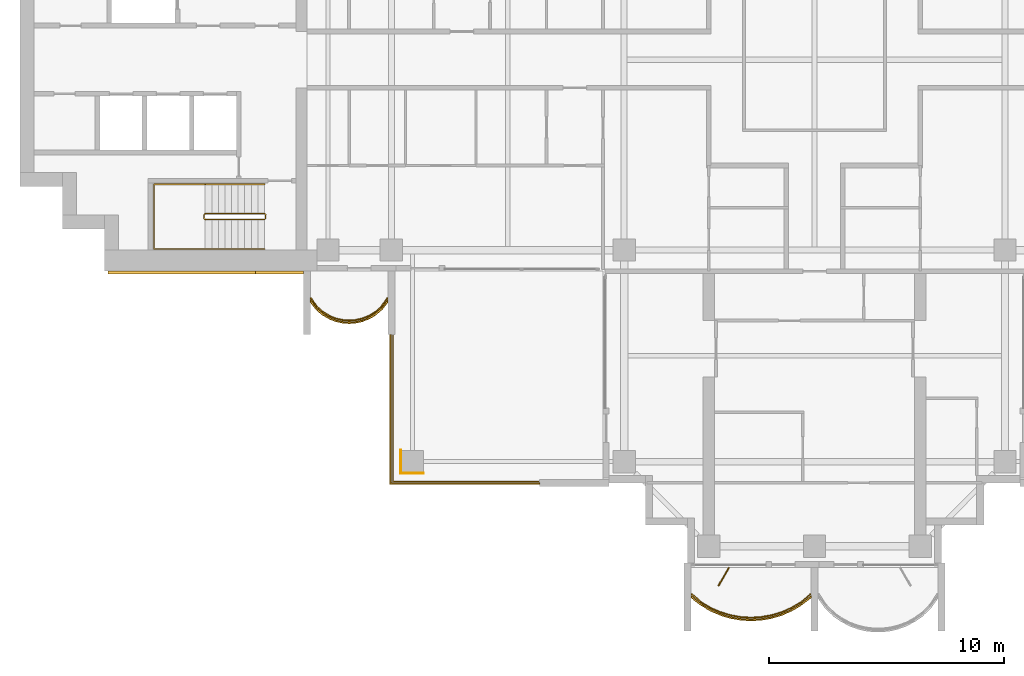
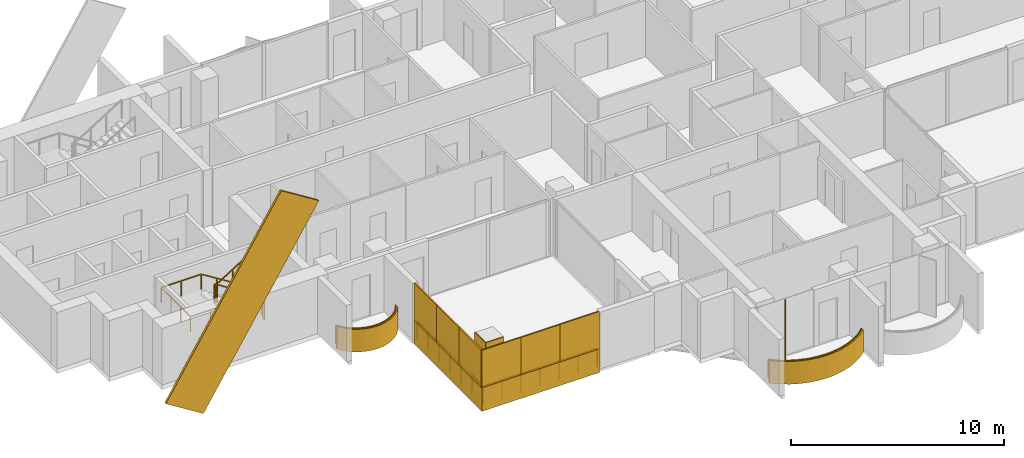
# One storey, part 14 of 17: 12 coverings, 5 railings, 1 shading device.
"""IFC4 building model written with IfcOpenShell, lengths in metres."""

from ifc_helpers import new_model, si_unit, direction, frame, origin, origin_2d, place, context, subcontext, project, spatial, polyline, rectangle, outline, extrude, material, layer, layer_set, material_profile, profile_set, type_object, element, save


model = new_model("IFC4")

# Units and contexts
model_context = context("Model", 3, precision=1e-05, world=origin(), true_north=direction((0.0, 1.0)))
body_context = subcontext(model_context, "Body", "Model", "MODEL_VIEW")
ifc_project = project(units=[si_unit("LENGTHUNIT", "METRE"), si_unit("AREAUNIT", "SQUARE_METRE"), si_unit("VOLUMEUNIT", "CUBIC_METRE"), si_unit("PLANEANGLEUNIT", "RADIAN"), si_unit("MASSUNIT", "GRAM", prefix="KILO")], contexts=[model_context])

# Site, building, storey
site_placement = place(None, origin())
site = spatial("IfcSite", under=ifc_project, at=site_placement, CompositionType="ELEMENT")
building_placement = place(site_placement, origin())
building = spatial("IfcBuilding", under=site, at=building_placement, Name="Perihelion Cross Residences", CompositionType="ELEMENT")
storey_placement = place(building_placement, frame((0.0, 0.0, 187.60009765625)))
storey = spatial("IfcBuildingStorey", under=building, at=storey_placement, Name="L46", CompositionType="ELEMENT", Elevation=187.60009765625)

# Coverings
ifc_material_1 = material(Name="Bronze anodised aluminium", Category="aluminium")
ifc_layer_1 = layer(ifc_material_1, 0.070068359375)
ifc_layer_set_1 = layer_set([ifc_layer_1], Name="Balcony fascia 1300")
covering_type_1 = type_object("IfcCoveringType", Name="Balcony fascia 1300", PredefinedType="CLADDING", material=ifc_layer_set_1)
covering_1_placement = place(storey_placement, frame((0.0, 0.0, -0.2001953125)))
element("IfcCovering", 1, at=covering_1_placement, inside=storey, type_object=covering_type_1, Name="Fascia BF1 L46 west side south bay 1", PredefinedType="CLADDING", context=body_context, shape_type="SweptSolid", body=[
    extrude(outline(polyline([(-21.226318359375, -10.616455078125), (-20.94091796875, -10.86328125), (-20.655517578125, -11.031494140625), (-20.370361328125, -11.142578125), (-20.085205078125, -11.206298828125), (-19.800048828125, -11.22705078125), (-19.514892578125, -11.206298828125), (-19.229736328125, -11.142578125), (-18.9443359375, -11.031494140625), (-18.6591796875, -10.86328125), (-18.373779296875, -10.616455078125), (-18.14990234375, -10.31689453125), (-18.14990234375, -10.199951171875), (-18.425048828125, -10.568603515625), (-18.699951171875, -10.806396484375), (-18.97509765625, -10.96875), (-19.25, -11.07568359375), (-19.52490234375, -11.136962890625), (-19.800048828125, -11.156982421875), (-20.074951171875, -11.136962890625), (-20.35009765625, -11.07568359375), (-20.625, -10.96875), (-20.89990234375, -10.806396484375), (-21.175048828125, -10.568603515625), (-21.449951171875, -10.199951171875), (-21.449951171875, -10.31689453125), (-21.226318359375, -10.616455078125)])), origin(), (0.0, 0.0, 1.0), 1.300048828125),
])
covering_2_placement = place(storey_placement, frame((0.0, 0.0, -0.2001953125)))
element("IfcCovering", 2, at=covering_2_placement, inside=storey, type_object=covering_type_1, Name="Fascia BF1 L46 south tip south bay 1", PredefinedType="CLADDING", context=body_context, shape_type="SweptSolid", body=[
    extrude(outline(polyline([(-4.86474609375, -23.197509765625), (-4.431884765625, -23.455078125), (-3.998779296875, -23.642578125), (-3.56591796875, -23.7705078125), (-3.133056640625, -23.845458984375), (-2.699951171875, -23.8701171875), (-2.26708984375, -23.845458984375), (-1.833984375, -23.7705078125), (-1.401123046875, -23.642578125), (-0.96826171875, -23.455078125), (-0.53515625, -23.197509765625), (-0.14990234375, -22.8896484375), (-0.14990234375, -22.800048828125), (-0.574951171875, -23.14013671875), (-1.0, -23.392578125), (-1.425048828125, -23.57666015625), (-1.85009765625, -23.702392578125), (-2.27490234375, -23.77587890625), (-2.699951171875, -23.800048828125), (-3.125, -23.77587890625), (-3.550048828125, -23.702392578125), (-3.97509765625, -23.57666015625), (-4.39990234375, -23.392578125), (-4.824951171875, -23.14013671875), (-5.25, -22.800048828125), (-5.25, -22.8896484375), (-4.86474609375, -23.197509765625)])), origin(), (0.0, 0.0, 1.0), 1.300048828125),
])

# Railings
ifc_material_2 = material(Name="Bronze anodised aluminium", Category="aluminium")
railing_type_1 = type_object("IfcRailingType", Name="Balcony guard 1100", PredefinedType="GUARDRAIL", material=ifc_material_2)
railing_1_placement = place(storey_placement, frame((-21.425048828125, -10.139892578125, 0.0)))
element("IfcRailing", 3, at=railing_1_placement, inside=storey, type_object=railing_type_1, Name="Guard GU1 L46 west side south bay 1 balcony", PredefinedType="GUARDRAIL", context=body_context, shape_type="SweptSolid", body=[
    extrude(rectangle(XDim=0.048095703125, YDim=0.048095703125, at=origin_2d()), frame((0.0, 0.0, 1.076171875), z_axis=(0.561260132269, -0.827639452857, 0.0), x_axis=(0.827639452857, 0.561260132269, 0.0)), (0.0, 0.0, 1.0), 0.4453125),
    extrude(rectangle(XDim=0.048095703125, YDim=0.048095703125, at=origin_2d()), frame((0.25, -0.36865234375, 1.076171875), z_axis=(0.756596535164, -0.653882009982, 0.0), x_axis=(0.653882009982, 0.756596535164, 0.0)), (0.0, 0.0, 1.0), 0.36376953125),
    extrude(rectangle(XDim=0.048095703125, YDim=0.048095703125, at=origin_2d()), frame((0.525146484375, -0.6064453125, 1.076171875), z_axis=(0.861048292884, -0.508523192511, 0.0), x_axis=(0.508523192511, 0.861048292884, 0.0)), (0.0, 0.0, 1.0), 0.3193359375),
    extrude(rectangle(XDim=0.048095703125, YDim=0.048095703125, at=origin_2d()), frame((0.800048828125, -0.768798828125, 1.076171875), z_axis=(0.931973602183, -0.362526143656, 0.0), x_axis=(0.362526143656, 0.931973602183, 0.0)), (0.0, 0.0, 1.0), 0.294921875),
    extrude(rectangle(XDim=0.048095703125, YDim=0.048095703125, at=origin_2d()), frame((1.074951171875, -0.875732421875, 1.076171875), z_axis=(0.976085059389, -0.21738895289, 0.0), x_axis=(0.21738895289, 0.976085059389, 0.0)), (0.0, 0.0, 1.0), 0.281982421875),
    extrude(rectangle(XDim=0.048095703125, YDim=0.048095703125, at=origin_2d()), frame((1.35009765625, -0.93701171875, 1.076171875), z_axis=(0.997358821833, -0.072631814734, 0.0), x_axis=(0.072631814734, 0.997358821833, 0.0)), (0.0, 0.0, 1.0), 0.275634765625),
    extrude(rectangle(XDim=0.048095703125, YDim=0.048095703125, at=origin_2d()), frame((1.625, -0.95703125, 1.076171875), z_axis=(0.997363488337, 0.072567707226, 0.0), x_axis=(-0.072567707226, 0.997363488337, 0.0)), (0.0, 0.0, 1.0), 0.27587890625),
    extrude(rectangle(XDim=0.048095703125, YDim=0.048095703125, at=origin_2d()), frame((1.900146484375, -0.93701171875, 1.076171875), z_axis=(0.976044077717, 0.217572880557, 0.0), x_axis=(-0.217572880557, 0.976044077717, 0.0)), (0.0, 0.0, 1.0), 0.28173828125),
    extrude(rectangle(XDim=0.048095703125, YDim=0.048095703125, at=origin_2d()), frame((2.175048828125, -0.875732421875, 1.076171875), z_axis=(0.931973602183, 0.362526143656, 0.0), x_axis=(-0.362526143656, 0.931973602183, 0.0)), (0.0, 0.0, 1.0), 0.294921875),
    extrude(rectangle(XDim=0.048095703125, YDim=0.048095703125, at=origin_2d()), frame((2.449951171875, -0.768798828125, 1.076171875), z_axis=(0.861245845072, 0.508188542123, 0.0), x_axis=(-0.508188542123, 0.861245845072, 0.0)), (0.0, 0.0, 1.0), 0.319580078125),
    extrude(rectangle(XDim=0.048095703125, YDim=0.048095703125, at=origin_2d()), frame((2.72509765625, -0.6064453125, 1.076171875), z_axis=(0.756309278473, 0.654214242658, 0.0), x_axis=(-0.654214242658, 0.756309278473, 0.0)), (0.0, 0.0, 1.0), 0.363525390625),
    extrude(rectangle(XDim=0.048095703125, YDim=0.048095703125, at=origin_2d()), frame((3.0, -0.36865234375, 1.076171875), z_axis=(0.561260132269, 0.827639452857, 0.0), x_axis=(-0.827639452857, 0.561260132269, 0.0)), (0.0, 0.0, 1.0), 0.4453125),
    extrude(rectangle(XDim=0.0419921875, YDim=0.0419921875, at=origin_2d()), origin(), (0.0, 0.0, 1.0), 1.052001953125),
    extrude(rectangle(XDim=0.0419921875, YDim=0.0419921875, at=origin_2d()), frame((0.25, -0.36865234375, 0.0)), (0.0, 0.0, 1.0), 1.052001953125),
    extrude(rectangle(XDim=0.0419921875, YDim=0.0419921875, at=origin_2d()), frame((0.525146484375, -0.6064453125, 0.0)), (0.0, 0.0, 1.0), 1.052001953125),
    extrude(rectangle(XDim=0.0419921875, YDim=0.0419921875, at=origin_2d()), frame((0.800048828125, -0.768798828125, 0.0)), (0.0, 0.0, 1.0), 1.052001953125),
    extrude(rectangle(XDim=0.0419921875, YDim=0.0419921875, at=origin_2d()), frame((1.074951171875, -0.875732421875, 0.0)), (0.0, 0.0, 1.0), 1.052001953125),
    extrude(rectangle(XDim=0.0419921875, YDim=0.0419921875, at=origin_2d()), frame((1.35009765625, -0.93701171875, 0.0)), (0.0, 0.0, 1.0), 1.052001953125),
    extrude(rectangle(XDim=0.0419921875, YDim=0.0419921875, at=origin_2d()), frame((1.625, -0.95703125, 0.0)), (0.0, 0.0, 1.0), 1.052001953125),
    extrude(rectangle(XDim=0.0419921875, YDim=0.0419921875, at=origin_2d()), frame((1.900146484375, -0.93701171875, 0.0)), (0.0, 0.0, 1.0), 1.052001953125),
    extrude(rectangle(XDim=0.0419921875, YDim=0.0419921875, at=origin_2d()), frame((2.175048828125, -0.875732421875, 0.0)), (0.0, 0.0, 1.0), 1.052001953125),
    extrude(rectangle(XDim=0.0419921875, YDim=0.0419921875, at=origin_2d()), frame((2.449951171875, -0.768798828125, 0.0)), (0.0, 0.0, 1.0), 1.052001953125),
    extrude(rectangle(XDim=0.0419921875, YDim=0.0419921875, at=origin_2d()), frame((2.72509765625, -0.6064453125, 0.0)), (0.0, 0.0, 1.0), 1.052001953125),
    extrude(rectangle(XDim=0.0419921875, YDim=0.0419921875, at=origin_2d()), frame((3.0, -0.36865234375, 0.0)), (0.0, 0.0, 1.0), 1.052001953125),
    extrude(rectangle(XDim=0.0419921875, YDim=0.0419921875, at=origin_2d()), frame((3.25, 0.0, 0.0)), (0.0, 0.0, 1.0), 1.052001953125),
])
railing_2_placement = place(storey_placement, frame((-5.22509765625, -22.739990234375, 0.0)))
element("IfcRailing", 4, at=railing_2_placement, inside=storey, type_object=railing_type_1, Name="Guard GU1 L46 south tip south bay 1 balcony", PredefinedType="GUARDRAIL", context=body_context, shape_type="SweptSolid", body=[
    extrude(rectangle(XDim=0.048095703125, YDim=0.048095703125, at=origin_2d()), frame((0.0, 0.0, 1.076171875), z_axis=(0.761973728849, -0.647607934281, 0.0), x_axis=(0.647607934281, 0.761973728849, 0.0)), (0.0, 0.0, 1.0), 0.525146484375),
    extrude(rectangle(XDim=0.048095703125, YDim=0.048095703125, at=origin_2d()), frame((0.400146484375, -0.340087890625, 1.076171875), z_axis=(0.859576918062, -0.511006381501, 0.0), x_axis=(0.511006381501, 0.859576918062, 0.0)), (0.0, 0.0, 1.0), 0.494384765625),
    extrude(rectangle(XDim=0.048095703125, YDim=0.048095703125, at=origin_2d()), frame((0.8251953125, -0.5927734375, 1.076171875), z_axis=(0.917747942671, -0.397163333811, 0.0), x_axis=(0.397163333811, 0.917747942671, 0.0)), (0.0, 0.0, 1.0), 0.462890625),
    extrude(rectangle(XDim=0.048095703125, YDim=0.048095703125, at=origin_2d()), frame((1.25, -0.776611328125, 1.076171875), z_axis=(0.958925815697, -0.283656975924, 0.0), x_axis=(0.283656975924, 0.958925815697, 0.0)), (0.0, 0.0, 1.0), 0.443359375),
    extrude(rectangle(XDim=0.048095703125, YDim=0.048095703125, at=origin_2d()), frame((1.675048828125, -0.90234375, 1.076171875), z_axis=(0.985381583142, -0.17036177859, 0.0), x_axis=(0.17036177859, 0.985381583142, 0.0)), (0.0, 0.0, 1.0), 0.431396484375),
    extrude(rectangle(XDim=0.048095703125, YDim=0.048095703125, at=origin_2d()), frame((2.10009765625, -0.975830078125, 1.076171875), z_axis=(0.998387160354, -0.056772159032, 0.0), x_axis=(0.056772159032, 0.998387160354, 0.0)), (0.0, 0.0, 1.0), 0.42578125),
    extrude(rectangle(XDim=0.048095703125, YDim=0.048095703125, at=origin_2d()), frame((2.525146484375, -1.0, 1.076171875), z_axis=(0.998387160354, 0.056772159032, 0.0), x_axis=(-0.056772159032, 0.998387160354, 0.0)), (0.0, 0.0, 1.0), 0.42578125),
    extrude(rectangle(XDim=0.048095703125, YDim=0.048095703125, at=origin_2d()), frame((2.9501953125, -0.975830078125, 1.076171875), z_axis=(0.985365142702, 0.170456843651, 0.0), x_axis=(-0.170456843651, 0.985365142702, 0.0)), (0.0, 0.0, 1.0), 0.43115234375),
    extrude(rectangle(XDim=0.048095703125, YDim=0.048095703125, at=origin_2d()), frame((3.375, -0.90234375, 1.076171875), z_axis=(0.958925815697, 0.283656975924, 0.0), x_axis=(-0.283656975924, 0.958925815697, 0.0)), (0.0, 0.0, 1.0), 0.443359375),
    extrude(rectangle(XDim=0.048095703125, YDim=0.048095703125, at=origin_2d()), frame((3.800048828125, -0.776611328125, 1.076171875), z_axis=(0.917831080218, 0.396971167952, 0.0), x_axis=(-0.396971167952, 0.917831080218, 0.0)), (0.0, 0.0, 1.0), 0.463134765625),
    extrude(rectangle(XDim=0.048095703125, YDim=0.048095703125, at=origin_2d()), frame((4.22509765625, -0.5927734375, 1.076171875), z_axis=(0.859576918062, 0.511006381501, 0.0), x_axis=(-0.511006381501, 0.859576918062, 0.0)), (0.0, 0.0, 1.0), 0.494384765625),
    extrude(rectangle(XDim=0.048095703125, YDim=0.048095703125, at=origin_2d()), frame((4.650146484375, -0.340087890625, 1.076171875), z_axis=(0.761778647315, 0.647837396648, 0.0), x_axis=(-0.647837396648, 0.761778647315, 0.0)), (0.0, 0.0, 1.0), 0.52490234375),
    extrude(rectangle(XDim=0.0419921875, YDim=0.0419921875, at=origin_2d()), origin(), (0.0, 0.0, 1.0), 1.052001953125),
    extrude(rectangle(XDim=0.0419921875, YDim=0.0419921875, at=origin_2d()), frame((0.400146484375, -0.340087890625, 0.0)), (0.0, 0.0, 1.0), 1.052001953125),
    extrude(rectangle(XDim=0.0419921875, YDim=0.0419921875, at=origin_2d()), frame((0.8251953125, -0.5927734375, 0.0)), (0.0, 0.0, 1.0), 1.052001953125),
    extrude(rectangle(XDim=0.0419921875, YDim=0.0419921875, at=origin_2d()), frame((1.25, -0.776611328125, 0.0)), (0.0, 0.0, 1.0), 1.052001953125),
    extrude(rectangle(XDim=0.0419921875, YDim=0.0419921875, at=origin_2d()), frame((1.675048828125, -0.90234375, 0.0)), (0.0, 0.0, 1.0), 1.052001953125),
    extrude(rectangle(XDim=0.0419921875, YDim=0.0419921875, at=origin_2d()), frame((2.10009765625, -0.975830078125, 0.0)), (0.0, 0.0, 1.0), 1.052001953125),
    extrude(rectangle(XDim=0.0419921875, YDim=0.0419921875, at=origin_2d()), frame((2.525146484375, -1.0, 0.0)), (0.0, 0.0, 1.0), 1.052001953125),
    extrude(rectangle(XDim=0.0419921875, YDim=0.0419921875, at=origin_2d()), frame((2.9501953125, -0.975830078125, 0.0)), (0.0, 0.0, 1.0), 1.052001953125),
    extrude(rectangle(XDim=0.0419921875, YDim=0.0419921875, at=origin_2d()), frame((3.375, -0.90234375, 0.0)), (0.0, 0.0, 1.0), 1.052001953125),
    extrude(rectangle(XDim=0.0419921875, YDim=0.0419921875, at=origin_2d()), frame((3.800048828125, -0.776611328125, 0.0)), (0.0, 0.0, 1.0), 1.052001953125),
    extrude(rectangle(XDim=0.0419921875, YDim=0.0419921875, at=origin_2d()), frame((4.22509765625, -0.5927734375, 0.0)), (0.0, 0.0, 1.0), 1.052001953125),
    extrude(rectangle(XDim=0.0419921875, YDim=0.0419921875, at=origin_2d()), frame((4.650146484375, -0.340087890625, 0.0)), (0.0, 0.0, 1.0), 1.052001953125),
    extrude(rectangle(XDim=0.0419921875, YDim=0.0419921875, at=origin_2d()), frame((5.050048828125, 0.0, 0.0)), (0.0, 0.0, 1.0), 1.052001953125),
])
railing_3_placement = place(storey_placement, frame((-11.739990234375, -17.93994140625, 0.0)))
element("IfcRailing", 5, at=railing_3_placement, inside=storey, type_object=railing_type_1, Name="Guard GU1 L46 pocket south-west 1", PredefinedType="GUARDRAIL", context=body_context, shape_type="SweptSolid", body=[
    extrude(rectangle(XDim=0.048095703125, YDim=0.048095703125, at=origin_2d()), frame((0.0, 0.0, 1.076171875), z_axis=(-1.0, 0.0, 0.0), x_axis=(0.0, -1.0, 0.0)), (0.0, 0.0, 1.0), 6.199951171875),
    extrude(rectangle(XDim=0.048095703125, YDim=0.048095703125, at=origin_2d()), frame((-6.199951171875, 0.0, 1.076171875), z_axis=(0.0, 1.0, 0.0), x_axis=(-1.0, 0.0, 0.0)), (0.0, 0.0, 1.0), 6.199951171875),
    extrude(rectangle(XDim=0.0419921875, YDim=0.0419921875, at=origin_2d()), origin(), (0.0, 0.0, 1.0), 1.052001953125),
    extrude(rectangle(XDim=0.0419921875, YDim=0.0419921875, at=origin_2d()), frame((-1.033203125, 0.0, 0.0)), (0.0, 0.0, 1.0), 1.052001953125),
    extrude(rectangle(XDim=0.0419921875, YDim=0.0419921875, at=origin_2d()), frame((-2.066650390625, 0.0, 0.0)), (0.0, 0.0, 1.0), 1.052001953125),
    extrude(rectangle(XDim=0.0419921875, YDim=0.0419921875, at=origin_2d()), frame((-3.10009765625, 0.0, 0.0)), (0.0, 0.0, 1.0), 1.052001953125),
    extrude(rectangle(XDim=0.0419921875, YDim=0.0419921875, at=origin_2d()), frame((-4.13330078125, 0.0, 0.0)), (0.0, 0.0, 1.0), 1.052001953125),
    extrude(rectangle(XDim=0.0419921875, YDim=0.0419921875, at=origin_2d()), frame((-5.16650390625, 0.0, 0.0)), (0.0, 0.0, 1.0), 1.052001953125),
    extrude(rectangle(XDim=0.0419921875, YDim=0.0419921875, at=origin_2d()), frame((-6.199951171875, 0.0, 0.0)), (0.0, 0.0, 1.0), 1.052001953125),
    extrude(rectangle(XDim=0.0419921875, YDim=0.0419921875, at=origin_2d()), frame((-6.199951171875, 1.033203125, 0.0)), (0.0, 0.0, 1.0), 1.052001953125),
    extrude(rectangle(XDim=0.0419921875, YDim=0.0419921875, at=origin_2d()), frame((-6.199951171875, 2.066650390625, 0.0)), (0.0, 0.0, 1.0), 1.052001953125),
    extrude(rectangle(XDim=0.0419921875, YDim=0.0419921875, at=origin_2d()), frame((-6.199951171875, 3.10009765625, 0.0)), (0.0, 0.0, 1.0), 1.052001953125),
    extrude(rectangle(XDim=0.0419921875, YDim=0.0419921875, at=origin_2d()), frame((-6.199951171875, 4.13330078125, 0.0)), (0.0, 0.0, 1.0), 1.052001953125),
    extrude(rectangle(XDim=0.0419921875, YDim=0.0419921875, at=origin_2d()), frame((-6.199951171875, 5.16650390625, 0.0)), (0.0, 0.0, 1.0), 1.052001953125),
    extrude(rectangle(XDim=0.0419921875, YDim=0.0419921875, at=origin_2d()), frame((-6.199951171875, 6.199951171875, 0.0)), (0.0, 0.0, 1.0), 1.052001953125),
])

# Coverings
ifc_material_3 = material(Name="Bronze anodised aluminium", Category="aluminium")
ifc_material_profile = material_profile(ifc_material_3, rectangle(XDim=0.125, YDim=2.39990234375, at=origin_2d()), Name="Bronze cladding band 2400")
ifc_profile_set = profile_set([ifc_material_profile], Name="Bronze anodised aluminium")
covering_type_2 = type_object("IfcCoveringType", Name="Bronze cladding band 2400", PredefinedType="CLADDING", material=ifc_profile_set)
covering_3_placement = place(storey_placement, frame((-29.0322265625, -9.0625, -1.679931640625), z_axis=(0.529915403603, 0.0, 0.848050508534), x_axis=(0.0, 1.0, 0.0)))
element("IfcCovering", 6, at=covering_3_placement, inside=storey, type_object=covering_type_2, Name="Core cladding band, west core", PredefinedType="CLADDING", context=body_context, shape_type="SweptSolid", body=[
    extrude(rectangle(XDim=0.125, YDim=2.39990234375, at=origin_2d()), origin(), (0.0, 0.0, 1.0), 11.822021484375),
])
ifc_material_4 = material(Name="Bronze anodised aluminium", Category="aluminium")
ifc_layer_2 = layer(ifc_material_4, 0.0400390625)
ifc_layer_set_2 = layer_set([ifc_layer_2], Name="Bronze column casing 40")
covering_type_3 = type_object("IfcCoveringType", Name="Bronze column casing 40", PredefinedType="CLADDING", material=ifc_layer_set_2)
covering_4_placement = place(storey_placement, frame((-17.594970703125, -17.10009765625, -0.25), z_axis=(0.0, 0.0, 1.0), x_axis=(1.0, 0.0, 0.0)))
element("IfcCovering", 7, at=covering_4_placement, inside=storey, type_object=covering_type_3, Name="Cladding CC1 L46 casing east-west no. 1", PredefinedType="CLADDING", context=body_context, shape_type="SweptSolid", body=[
    extrude(rectangle(XDim=0.0400390625, YDim=1.030029296875, at=origin_2d()), origin(), (0.0, 0.0, 1.0), 3.5),
])
covering_5_placement = place(storey_placement, frame((-17.10009765625, -17.594970703125, -0.25), z_axis=(0.0, 0.0, 1.0), x_axis=(1.0, 0.0, 0.0)))
element("IfcCovering", 8, at=covering_5_placement, inside=storey, type_object=covering_type_3, Name="Cladding CC1 L46 casing north-south no. 1", PredefinedType="CLADDING", context=body_context, shape_type="SweptSolid", body=[
    extrude(rectangle(XDim=0.949951171875, YDim=0.0400390625, at=origin_2d()), origin(), (0.0, 0.0, 1.0), 3.5),
])

# Shading device
ifc_material_5 = material(Name="Bronze anodised aluminium", Category="aluminium")
ifc_layer_3 = layer(ifc_material_5, 0.050048828125)
ifc_layer_set_3 = layer_set([ifc_layer_3], Name="Bronze fin 900")
shading_device_type = type_object("IfcShadingDeviceType", Name="Bronze fin 900", PredefinedType="USERDEFINED", material=ifc_layer_set_3)
shading_device_placement = place(storey_placement, frame((-3.862548828125, -21.98974609375, 0.0), z_axis=(0.0, 0.0, 1.0), x_axis=(-0.5, -0.866025403784, 0.0)))
element("IfcShadingDevice", 9, at=shading_device_placement, inside=storey, type_object=shading_device_type, Name="Fin FN1 L46 south tip south bay 1", ObjectType="FIN", PredefinedType="USERDEFINED", context=body_context, shape_type="SweptSolid", body=[
    extrude(rectangle(XDim=0.89990234375, YDim=0.050048828125, at=origin_2d()), origin(), (0.0, 0.0, 1.0), 3.25),
])

# Coverings
ifc_material_6 = material(Name="Bronze anodised aluminium", Category="aluminium")
ifc_layer_4 = layer(ifc_material_6, 0.070068359375)
ifc_layer_set_4 = layer_set([ifc_layer_4], Name="Pocket fascia 1350")
covering_type_4 = type_object("IfcCoveringType", Name="Pocket fascia 1350", PredefinedType="CLADDING", material=ifc_layer_set_4)
covering_6_placement = place(storey_placement, frame((0.0, 0.0, -0.25)))
element("IfcCovering", 10, at=covering_6_placement, inside=storey, type_object=covering_type_4, Name="Fascia BF2 L46 pocket south-west 1", PredefinedType="CLADDING", context=body_context, shape_type="SweptSolid", body=[
    extrude(outline(polyline([(-18.070068359375, -11.699951171875), (-18.070068359375, -18.070068359375), (-11.699951171875, -18.070068359375), (-11.699951171875, -18.0), (-18.0, -18.0), (-18.0, -11.699951171875), (-18.070068359375, -11.699951171875)])), origin(), (0.0, 0.0, 1.0), 1.349853515625),
])
ifc_material_7 = material(Name="Bronze perforated aluminium", Category="aluminium")
ifc_layer_5 = layer(ifc_material_7, 0.070068359375)
ifc_layer_set_5 = layer_set([ifc_layer_5], Name="Pocket solar screen, bronze perforated")
covering_type_5 = type_object("IfcCoveringType", Name="Pocket solar screen, bronze perforated", PredefinedType="CLADDING", material=ifc_layer_set_5)
covering_7_placement = place(storey_placement, frame((0.0, 0.0, 1.099853515625)))
element("IfcCovering", 11, at=covering_7_placement, inside=storey, type_object=covering_type_5, Name="Solar screen PS1 L46 pocket south-west no. 1", PredefinedType="CLADDING", context=body_context, shape_type="SweptSolid", body=[
    extrude(outline(polyline([(-18.0, -18.0), (-18.0, -15.89990234375), (-18.070068359375, -15.89990234375), (-18.070068359375, -18.0), (-18.0, -18.0)])), origin(), (0.0, 0.0, 1.0), 2.150146484375),
])
covering_8_placement = place(storey_placement, frame((0.0, 0.0, 1.099853515625)))
element("IfcCovering", 12, at=covering_8_placement, inside=storey, type_object=covering_type_5, Name="Solar screen PS1 L46 pocket south-west no. 2", PredefinedType="CLADDING", context=body_context, shape_type="SweptSolid", body=[
    extrude(outline(polyline([(-18.0, -15.89990234375), (-18.0, -13.800048828125), (-18.070068359375, -13.800048828125), (-18.070068359375, -15.89990234375), (-18.0, -15.89990234375)])), origin(), (0.0, 0.0, 1.0), 2.150146484375),
])
covering_9_placement = place(storey_placement, frame((0.0, 0.0, 1.099853515625)))
element("IfcCovering", 13, at=covering_9_placement, inside=storey, type_object=covering_type_5, Name="Solar screen PS1 L46 pocket south-west no. 3", PredefinedType="CLADDING", context=body_context, shape_type="SweptSolid", body=[
    extrude(outline(polyline([(-18.0, -13.800048828125), (-18.0, -11.699951171875), (-18.070068359375, -11.699951171875), (-18.070068359375, -13.800048828125), (-18.0, -13.800048828125)])), origin(), (0.0, 0.0, 1.0), 2.150146484375),
])
covering_10_placement = place(storey_placement, frame((0.0, 0.0, 1.099853515625)))
element("IfcCovering", 14, at=covering_10_placement, inside=storey, type_object=covering_type_5, Name="Solar screen PS1 L46 pocket south-west no. 4", PredefinedType="CLADDING", context=body_context, shape_type="SweptSolid", body=[
    extrude(outline(polyline([(-15.94677734375, -18.070068359375), (-15.94677734375, -18.0), (-18.070068359375, -18.0), (-18.070068359375, -18.070068359375), (-15.94677734375, -18.070068359375)])), origin(), (0.0, 0.0, 1.0), 2.150146484375),
])
covering_11_placement = place(storey_placement, frame((0.0, 0.0, 1.099853515625)))
element("IfcCovering", 15, at=covering_11_placement, inside=storey, type_object=covering_type_5, Name="Solar screen PS1 L46 pocket south-west no. 5", PredefinedType="CLADDING", context=body_context, shape_type="SweptSolid", body=[
    extrude(outline(polyline([(-13.8232421875, -18.070068359375), (-13.8232421875, -18.0), (-15.94677734375, -18.0), (-15.94677734375, -18.070068359375), (-13.8232421875, -18.070068359375)])), origin(), (0.0, 0.0, 1.0), 2.150146484375),
])
covering_12_placement = place(storey_placement, frame((0.0, 0.0, 1.099853515625)))
element("IfcCovering", 16, at=covering_12_placement, inside=storey, type_object=covering_type_5, Name="Solar screen PS1 L46 pocket south-west no. 6", PredefinedType="CLADDING", context=body_context, shape_type="SweptSolid", body=[
    extrude(outline(polyline([(-11.699951171875, -18.070068359375), (-11.699951171875, -18.0), (-13.8232421875, -18.0), (-13.8232421875, -18.070068359375), (-11.699951171875, -18.070068359375)])), origin(), (0.0, 0.0, 1.0), 2.150146484375),
])

# Railings
ifc_material_8 = material(Name="Stainless steel", Category="steel")
railing_type_2 = type_object("IfcRailingType", Name="Stair guard 1100", PredefinedType="GUARDRAIL", material=ifc_material_8)
railing_4_placement = place(storey_placement, frame((-23.35009765625, -6.75, 0.0)))
element("IfcRailing", 17, at=railing_4_placement, inside=storey, type_object=railing_type_2, Name="L46 ST-W2 stair guard 1", PredefinedType="GUARDRAIL", context=body_context, shape_type="SweptSolid", body=[
    extrude(rectangle(XDim=0.048095703125, YDim=0.048095703125, at=origin_2d()), frame((0.0, 0.0, 1.076171875), z_axis=(0.0, 1.0, 0.0), x_axis=(-1.0, 0.0, 0.0)), (0.0, 0.0, 1.0), 0.14990234375),
    extrude(rectangle(XDim=0.048095703125, YDim=0.048095703125, at=origin_2d()), frame((0.0, 0.14990234375, 1.076171875), z_axis=(-0.264179342666, 0.265474339444, 0.927217692888), x_axis=(-0.708833529934, -0.705375805398, 0.0)), (0.0, 0.0, 1.0), 0.1884765625),
    extrude(rectangle(XDim=0.048095703125, YDim=0.048095703125, at=origin_2d()), frame((-0.0498046875, 0.199951171875, 1.2509765625), z_axis=(-0.847970611238, 0.0, 0.530043245855), x_axis=(0.0, -1.0, 0.0)), (0.0, 0.0, 1.0), 2.971923828125),
    extrude(rectangle(XDim=0.048095703125, YDim=0.048095703125, at=origin_2d()), frame((-2.56982421875, 0.199951171875, 2.826171875), z_axis=(-0.707106781187, -0.707106781187, 0.0), x_axis=(0.707106781187, -0.707106781187, 0.0)), (0.0, 0.0, 1.0), 0.07080078125),
    extrude(rectangle(XDim=0.048095703125, YDim=0.048095703125, at=origin_2d()), frame((-2.619873046875, 0.14990234375, 2.826171875), z_axis=(0.0, -1.0, 0.0), x_axis=(1.0, 0.0, 0.0)), (0.0, 0.0, 1.0), 0.14990234375),
    extrude(rectangle(XDim=0.048095703125, YDim=0.048095703125, at=origin_2d()), frame((-2.619873046875, 0.0, 2.826171875), z_axis=(0.265383341853, -0.265383341853, 0.926899867156), x_axis=(0.707106781187, 0.707106781187, 0.0)), (0.0, 0.0, 1.0), 0.1884765625),
    extrude(rectangle(XDim=0.048095703125, YDim=0.048095703125, at=origin_2d()), frame((-2.56982421875, -0.050048828125, 3.0009765625), z_axis=(0.847970611238, 0.0, 0.530043245855), x_axis=(0.0, 1.0, 0.0)), (0.0, 0.0, 1.0), 2.971923828125),
    extrude(rectangle(XDim=0.0419921875, YDim=0.0419921875, at=origin_2d()), origin(), (0.0, 0.0, 1.0), 1.052001953125),
    extrude(rectangle(XDim=0.0419921875, YDim=0.0419921875, at=origin_2d()), frame((0.0, 0.14990234375, 0.0)), (0.0, 0.0, 1.0), 1.052001953125),
    extrude(rectangle(XDim=0.0419921875, YDim=0.0419921875, at=origin_2d()), frame((-0.0498046875, 0.199951171875, 0.1748046875)), (0.0, 0.0, 1.0), 1.052001953125),
    extrude(rectangle(XDim=0.0419921875, YDim=0.0419921875, at=origin_2d()), frame((-0.889892578125, 0.199951171875, 0.699951171875)), (0.0, 0.0, 1.0), 1.052001953125),
    extrude(rectangle(XDim=0.0419921875, YDim=0.0419921875, at=origin_2d()), frame((-1.729736328125, 0.199951171875, 1.224853515625)), (0.0, 0.0, 1.0), 1.052001953125),
    extrude(rectangle(XDim=0.0419921875, YDim=0.0419921875, at=origin_2d()), frame((-2.56982421875, 0.199951171875, 1.75)), (0.0, 0.0, 1.0), 1.052001953125),
    extrude(rectangle(XDim=0.0419921875, YDim=0.0419921875, at=origin_2d()), frame((-2.619873046875, 0.14990234375, 1.75)), (0.0, 0.0, 1.0), 1.052001953125),
    extrude(rectangle(XDim=0.0419921875, YDim=0.0419921875, at=origin_2d()), frame((-2.619873046875, 0.0, 1.75)), (0.0, 0.0, 1.0), 1.052001953125),
    extrude(rectangle(XDim=0.0419921875, YDim=0.0419921875, at=origin_2d()), frame((-2.56982421875, -0.050048828125, 1.9248046875)), (0.0, 0.0, 1.0), 1.052001953125),
    extrude(rectangle(XDim=0.0419921875, YDim=0.0419921875, at=origin_2d()), frame((-1.729736328125, -0.050048828125, 2.449951171875)), (0.0, 0.0, 1.0), 1.052001953125),
    extrude(rectangle(XDim=0.0419921875, YDim=0.0419921875, at=origin_2d()), frame((-0.889892578125, -0.050048828125, 2.974853515625)), (0.0, 0.0, 1.0), 1.052001953125),
    extrude(rectangle(XDim=0.0419921875, YDim=0.0419921875, at=origin_2d()), frame((-0.0498046875, -0.050048828125, 3.5)), (0.0, 0.0, 1.0), 1.052001953125),
])
ifc_material_9 = material(Name="Stainless steel", Category="steel")
railing_type_3 = type_object("IfcRailingType", Name="Stair handrail 900", PredefinedType="HANDRAIL", material=ifc_material_9)
railing_5_placement = place(storey_placement, frame((-23.39990234375, -5.300048828125, 0.1748046875)))
element("IfcRailing", 18, at=railing_5_placement, inside=storey, type_object=railing_type_3, Name="L46 ST-W2 stair handrail 1", PredefinedType="HANDRAIL", context=body_context, shape_type="SweptSolid", body=[
    extrude(rectangle(XDim=0.048095703125, YDim=0.048095703125, at=origin_2d()), frame((0.0, 0.0, 0.8759765625), z_axis=(-0.847970611238, 0.0, 0.530043245855), x_axis=(0.0, -1.0, 0.0)), (0.0, 0.0, 1.0), 2.971923828125),
    extrude(rectangle(XDim=0.048095703125, YDim=0.048095703125, at=origin_2d()), frame((-2.52001953125, 0.0, 2.451171875), z_axis=(-1.0, 0.0, 0.0), x_axis=(0.0, -1.0, 0.0)), (0.0, 0.0, 1.0), 2.18017578125),
    extrude(rectangle(XDim=0.048095703125, YDim=0.048095703125, at=origin_2d()), frame((-4.7001953125, 0.0, 2.451171875), z_axis=(0.0, -1.0, 0.0), x_axis=(1.0, 0.0, 0.0)), (0.0, 0.0, 1.0), 2.75),
    extrude(rectangle(XDim=0.048095703125, YDim=0.048095703125, at=origin_2d()), frame((-4.7001953125, -2.75, 2.451171875), z_axis=(1.0, 0.0, 0.0), x_axis=(0.0, 1.0, 0.0)), (0.0, 0.0, 1.0), 2.18017578125),
    extrude(rectangle(XDim=0.048095703125, YDim=0.048095703125, at=origin_2d()), frame((-2.52001953125, -2.75, 2.451171875), z_axis=(0.0, 0.0, 1.0), x_axis=(1.0, 0.0, 0.0)), (0.0, 0.0, 1.0), 0.1748046875),
    extrude(rectangle(XDim=0.048095703125, YDim=0.048095703125, at=origin_2d()), frame((-2.52001953125, -2.75, 2.6259765625), z_axis=(0.847970611238, 0.0, 0.530043245855), x_axis=(0.0, 1.0, 0.0)), (0.0, 0.0, 1.0), 2.971923828125),
    extrude(rectangle(XDim=0.0419921875, YDim=0.0419921875, at=origin_2d()), origin(), (0.0, 0.0, 1.0), 0.851806640625),
    extrude(rectangle(XDim=0.0419921875, YDim=0.0419921875, at=origin_2d()), frame((-0.840087890625, 0.0, 0.525146484375)), (0.0, 0.0, 1.0), 0.851806640625),
    extrude(rectangle(XDim=0.0419921875, YDim=0.0419921875, at=origin_2d()), frame((-1.679931640625, 0.0, 1.050048828125)), (0.0, 0.0, 1.0), 0.851806640625),
    extrude(rectangle(XDim=0.0419921875, YDim=0.0419921875, at=origin_2d()), frame((-2.52001953125, 0.0, 1.5751953125)), (0.0, 0.0, 1.0), 0.851806640625),
    extrude(rectangle(XDim=0.0419921875, YDim=0.0419921875, at=origin_2d()), frame((-3.610107421875, 0.0, 1.5751953125)), (0.0, 0.0, 1.0), 0.851806640625),
    extrude(rectangle(XDim=0.0419921875, YDim=0.0419921875, at=origin_2d()), frame((-4.7001953125, 0.0, 1.5751953125)), (0.0, 0.0, 1.0), 0.851806640625),
    extrude(rectangle(XDim=0.0419921875, YDim=0.0419921875, at=origin_2d()), frame((-4.7001953125, -0.916748046875, 1.5751953125)), (0.0, 0.0, 1.0), 0.851806640625),
    extrude(rectangle(XDim=0.0419921875, YDim=0.0419921875, at=origin_2d()), frame((-4.7001953125, -1.833251953125, 1.5751953125)), (0.0, 0.0, 1.0), 0.851806640625),
    extrude(rectangle(XDim=0.0419921875, YDim=0.0419921875, at=origin_2d()), frame((-4.7001953125, -2.75, 1.5751953125)), (0.0, 0.0, 1.0), 0.851806640625),
    extrude(rectangle(XDim=0.0419921875, YDim=0.0419921875, at=origin_2d()), frame((-3.610107421875, -2.75, 1.5751953125)), (0.0, 0.0, 1.0), 0.851806640625),
    extrude(rectangle(XDim=0.0419921875, YDim=0.0419921875, at=origin_2d()), frame((-2.52001953125, -2.75, 1.5751953125)), (0.0, 0.0, 1.0), 0.851806640625),
    extrude(rectangle(XDim=0.0419921875, YDim=0.0419921875, at=origin_2d()), frame((-2.52001953125, -2.75, 1.75)), (0.0, 0.0, 1.0), 0.851806640625),
    extrude(rectangle(XDim=0.0419921875, YDim=0.0419921875, at=origin_2d()), frame((-1.679931640625, -2.75, 2.275146484375)), (0.0, 0.0, 1.0), 0.851806640625),
    extrude(rectangle(XDim=0.0419921875, YDim=0.0419921875, at=origin_2d()), frame((-0.840087890625, -2.75, 2.800048828125)), (0.0, 0.0, 1.0), 0.851806640625),
    extrude(rectangle(XDim=0.0419921875, YDim=0.0419921875, at=origin_2d()), frame((0.0, -2.75, 3.3251953125)), (0.0, 0.0, 1.0), 0.851806640625),
])

save(model, "model.ifc")
